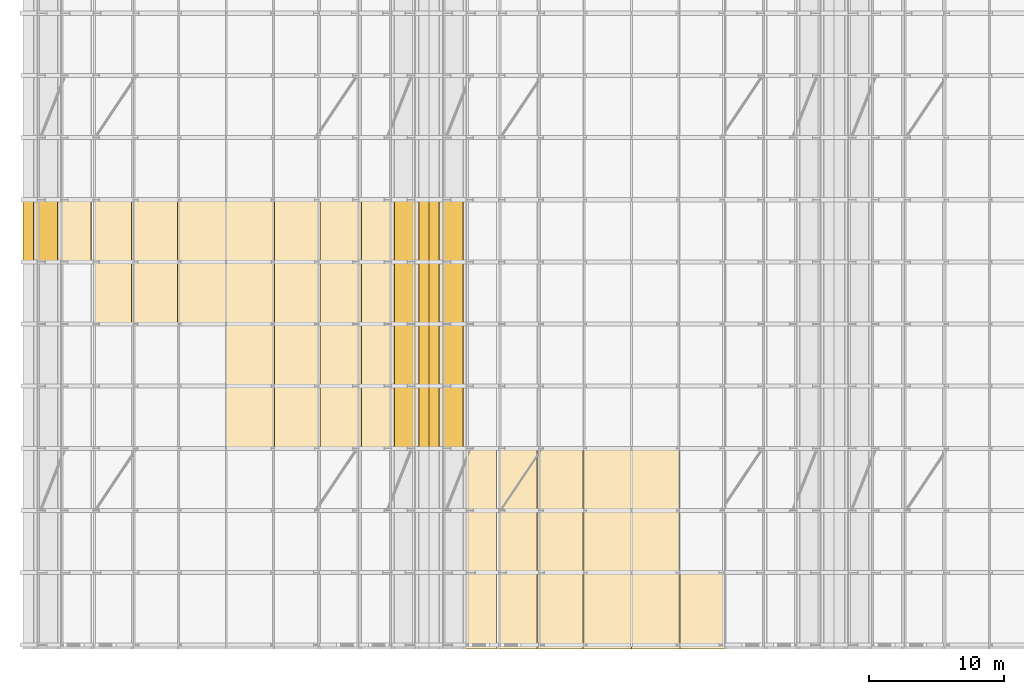
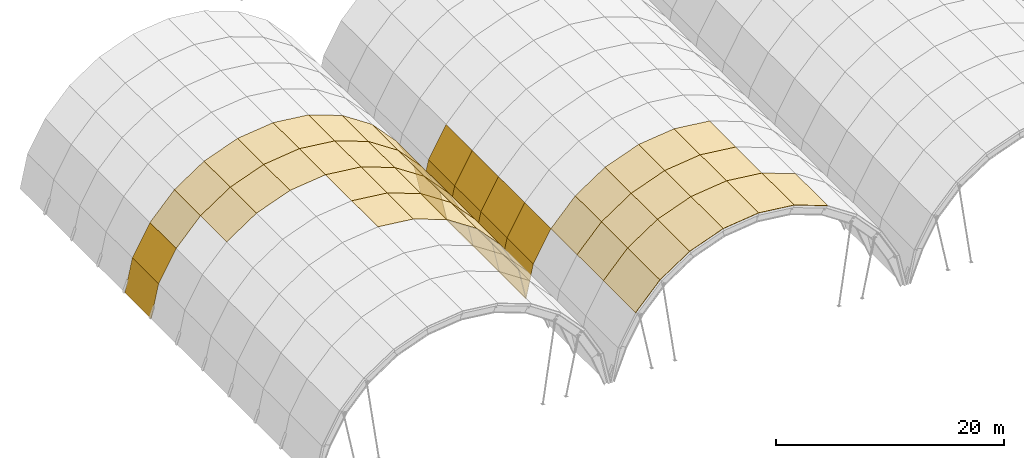
# One storey, part 41 of 47: 57 coverings.
"""IFC4 building model written with IfcOpenShell, lengths in metres."""

import ifcopenshell
import ifcopenshell.guid

model = None  # the IFC model being written
_history = None  # IfcOwnerHistory: only IFC2X3 demands one
_inside = {}  # id of a spatial element -> (the spatial element, [elements in it])
_under = {}  # id of a project, library or spatial element -> (it, [spatial elements below it])
_declared = {}  # id of a project -> (the project, [libraries it declares])
_typed = {}  # id of a type object -> (the type object, [elements of that type])
_made_of = {}  # id of a material, layer set ... -> (it, [elements and type objects made of it])


def new_model(schema):
    """Start an empty IFC model of exactly this schema.

    Asked for "IFC4X3", IfcOpenShell would pick the latest addendum, in which some entities
    have other attributes; the version numbers below select the first issue.
    IFC2X3 requires an IfcOwnerHistory on every rooted entity: one is made here for all.
    """
    global model, _history
    if schema == "IFC4X3":
        model = ifcopenshell.file(schema_version=(4, 3, 0, 0))
    else:
        model = ifcopenshell.file(schema=schema)
    _inside.clear()
    _under.clear()
    _declared.clear()
    _typed.clear()
    _made_of.clear()
    _history = None
    if model.schema == "IFC2X3":
        org = make("IfcOrganization", Name="unknown")
        user = make(
            "IfcPersonAndOrganization",
            ThePerson=make("IfcPerson", FamilyName="unknown"),
            TheOrganization=org,
        )
        app = make(
            "IfcApplication",
            ApplicationDeveloper=org,
            Version="unknown",
            ApplicationFullName="unknown",
            ApplicationIdentifier="unknown",
        )
        _history = make(
            "IfcOwnerHistory",
            OwningUser=user,
            OwningApplication=app,
            ChangeAction="ADDED",
            CreationDate=0,
        )
    return model


def make(cls, **values):
    """One entity of the class cls with the attributes given. An attribute that is None is left unset."""
    return model.create_entity(
        cls, **{name: value for name, value in values.items() if value is not None}
    )


def rooted(cls, **values):
    """An entity with a GlobalId (a new one), such as an element, a storey or a relation."""
    return make(cls, GlobalId=ifcopenshell.guid.new(), OwnerHistory=_history, **values)


def si_unit(unit_type, name, prefix=None):
    """IfcSIUnit, for example si_unit("LENGTHUNIT", "METRE", prefix="MILLI")."""
    return make("IfcSIUnit", UnitType=unit_type, Prefix=prefix, Name=name)


def assignment(units):
    """IfcUnitAssignment: the units of a project."""
    return None if units is None else make("IfcUnitAssignment", Units=units)


def point(xyz):
    """IfcCartesianPoint."""
    return None if xyz is None else make("IfcCartesianPoint", Coordinates=xyz)


def direction(xyz):
    """IfcDirection."""
    return None if xyz is None else make("IfcDirection", DirectionRatios=xyz)


def frame(location, z_axis=None, x_axis=None):
    """IfcAxis2Placement3D, a coordinate frame: its origin and axes. An axis left out is left unset."""
    return make(
        "IfcAxis2Placement3D",
        Location=point(location),
        Axis=direction(z_axis),
        RefDirection=direction(x_axis),
    )


def origin():
    """The frame at (0, 0, 0) with its axes left unset."""
    return frame((0.0, 0.0, 0.0))


def place(relative_to, where):
    """IfcLocalPlacement: puts the frame where relative to a parent placement (None: the world)."""
    return make(
        "IfcLocalPlacement", PlacementRelTo=relative_to, RelativePlacement=where
    )


def context(
    kind, dimensions, precision=None, world=None, true_north=None, identifier=None
):
    """IfcGeometricRepresentationContext, for example the 3D "Model" context."""
    return make(
        "IfcGeometricRepresentationContext",
        ContextIdentifier=identifier,
        ContextType=kind,
        CoordinateSpaceDimension=dimensions,
        Precision=precision,
        WorldCoordinateSystem=world,
        TrueNorth=true_north,
    )


def subcontext(parent, identifier, kind, view, scale=None):
    """IfcGeometricRepresentationSubContext, for example "Body" below "Model"."""
    return make(
        "IfcGeometricRepresentationSubContext",
        ContextIdentifier=identifier,
        ContextType=kind,
        ParentContext=parent,
        TargetScale=scale,
        TargetView=view,
    )


def project(units=None, contexts=None):
    """IfcProject with its units and contexts."""
    return rooted(
        "IfcProject",
        Name="project",
        RepresentationContexts=contexts,
        UnitsInContext=assignment(units),
    )


def spatial(cls, under=None, at=None, **own):
    """A site, building, storey or space (cls), placed at a placement, below another one or the project."""
    s = rooted(cls, ObjectPlacement=at, **own)
    if under is not None:
        _under.setdefault(under.id(), (under, []))[1].append(s)
    return s


def polyline(points):
    """IfcPolyline through the points."""
    return make("IfcPolyline", Points=[point(p) for p in points])


def outline(outer, holes=None, kind="AREA"):
    """IfcArbitraryClosedProfileDef: a profile drawn as a closed curve; with holes, ...WithVoids."""
    if holes is None:
        return make("IfcArbitraryClosedProfileDef", ProfileType=kind, OuterCurve=outer)
    return make(
        "IfcArbitraryProfileDefWithVoids",
        ProfileType=kind,
        OuterCurve=outer,
        InnerCurves=holes,
    )


def extrude(swept, where, along, depth):
    """IfcExtrudedAreaSolid: the profile swept, set in the frame where, extruded along a direction by depth."""
    return make(
        "IfcExtrudedAreaSolid",
        SweptArea=swept,
        Position=where,
        ExtrudedDirection=direction(along),
        Depth=depth,
    )


def shape(context_of_items, identifier, shape_type, items):
    """IfcShapeRepresentation: the items that make up one representation, for example the "Body"."""
    return make(
        "IfcShapeRepresentation",
        ContextOfItems=context_of_items,
        RepresentationIdentifier=identifier,
        RepresentationType=shape_type,
        Items=items,
    )


def material(Name=None, Category=None):
    """IfcMaterial."""
    return make("IfcMaterial", Name=Name, Category=Category)


def layer(
    of_material, thickness, ventilated=None, Name=None, Category=None, Priority=None
):
    """IfcMaterialLayer: one layer of a wall or slab, of a material (None: an air gap)."""
    return make(
        "IfcMaterialLayer",
        Material=of_material,
        LayerThickness=thickness,
        IsVentilated=ventilated,
        Name=Name,
        Category=Category,
        Priority=Priority,
    )


def layer_set(layers, Name=None):
    """IfcMaterialLayerSet."""
    return make("IfcMaterialLayerSet", MaterialLayers=layers, LayerSetName=Name)


def made_of(thing, what):
    """Note that an element or type object is made of a material, layer set ...; save() writes the relation."""
    if what is not None:
        _made_of.setdefault(what.id(), (what, []))[1].append(thing)
    return thing


def type_object(cls, material=None, **own):
    """A type object (cls), such as IfcWallType, which elements share."""
    return made_of(rooted(cls, **own), material)


def element(
    cls,
    number,
    at=None,
    inside=None,
    cuts=None,
    type_object=None,
    material=None,
    context=None,
    identifier="Body",
    shape_type=None,
    held_by="IfcProductDefinitionShape",
    body=None,
    shapes=None,
    **own,
):
    """One element of the class cls, such as IfcWall. Its Tag is "e" and its number.

    at: its placement. inside: the storey or other place that contains it. cuts: it is an
    opening in that element (IfcRelVoidsElement). A single representation is given by context,
    identifier, shape_type and body (its items); several are given by shapes. held_by: the class
    of the entity that holds the representations. save() writes the other relations.
    """
    e = rooted(cls, Tag="e%d" % number, ObjectPlacement=at, **own)
    if body is not None:
        shapes = [shape(context, identifier, shape_type, body)]
    if shapes is not None:
        e.Representation = make(held_by, Representations=shapes)
    if inside is not None:
        _inside.setdefault(inside.id(), (inside, []))[1].append(e)
    if cuts is not None:
        rooted(
            "IfcRelVoidsElement", RelatingBuildingElement=cuts, RelatedOpeningElement=e
        )
    if type_object is not None:
        _typed.setdefault(type_object.id(), (type_object, []))[1].append(e)
    return made_of(e, material)


def aggregate(whole, parts):
    """IfcRelAggregates: a whole, such as a stair, and the parts it consists of."""
    return rooted("IfcRelAggregates", RelatingObject=whole, RelatedObjects=parts)


def save(model, path):
    """Write the relations noted so far, then the file.

    IfcRelAggregates (storeys below a building ...), IfcRelContainedInSpatialStructure (elements
    in a storey), IfcRelDefinesByType, IfcRelAssociatesMaterial and IfcRelDeclares: one each for
    every whole, place, type object, material and project.
    """
    for whole, parts in _under.values():
        aggregate(whole, parts)
    for where, things in _inside.values():
        rooted(
            "IfcRelContainedInSpatialStructure",
            RelatedElements=things,
            RelatingStructure=where,
        )
    for kind, things in _typed.values():
        rooted("IfcRelDefinesByType", RelatedObjects=things, RelatingType=kind)
    for what, things in _made_of.values():
        rooted("IfcRelAssociatesMaterial", RelatedObjects=things, RelatingMaterial=what)
    for by, libraries in _declared.values():
        rooted("IfcRelDeclares", RelatingContext=by, RelatedDefinitions=libraries)
    model.write(path)


model = new_model("IFC4")

# Units and contexts
model_context = context("Model", 3, precision=1e-05, world=origin(), true_north=direction((0.0, 1.0)))
body_context = subcontext(model_context, "Body", "Model", "MODEL_VIEW")
ifc_project = project(units=[si_unit("LENGTHUNIT", "METRE"), si_unit("AREAUNIT", "SQUARE_METRE"), si_unit("VOLUMEUNIT", "CUBIC_METRE"), si_unit("PLANEANGLEUNIT", "RADIAN"), si_unit("MASSUNIT", "GRAM", prefix="KILO")], contexts=[model_context])

# Site, building, storey
site_placement = place(None, origin())
site = spatial("IfcSite", under=ifc_project, at=site_placement, CompositionType="ELEMENT")
building_placement = place(site_placement, origin())
building = spatial("IfcBuilding", under=site, at=building_placement, Name="Muzn Square Opera House", CompositionType="ELEMENT")
storey_placement = place(building_placement, frame((0.0, 0.0, 31.0)))
storey = spatial("IfcBuildingStorey", under=building, at=storey_placement, Name="RF-1", CompositionType="ELEMENT", Elevation=31.0)

# Coverings
ifc_material = material(Name="Patina green copper-zinc standing seam", Category="metal")
ifc_layer = layer(ifc_material, 0.0400390625, Name="Patina green copper-zinc standing seam", Category="metal")
ifc_layer_set = layer_set([ifc_layer], Name="Patina green copper-zinc standing seam")
covering_type = type_object("IfcCoveringType", Name="Standing Seam Green Vault Roofing", PredefinedType="ROOFING", material=ifc_layer_set)
covering_1_placement = place(storey_placement, frame((58.0, 35.800048828125, 0.4599609375), z_axis=(0.116993830326, 0.0, 0.993132641527), x_axis=(0.993132641527, 0.0, -0.116993830326)))
element("IfcCovering", 1, at=covering_1_placement, inside=storey, type_object=covering_type, Name="Patina Green Standing Seam Vault Roofing V1-03-F06", PredefinedType="ROOFING", context=body_context, shape_type="SweptSolid", body=[
    extrude(outline(polyline([(0.0, 0.0), (3.620566855473569, 0.0), (3.620566855473569, 4.599853515625), (0.0, 4.599853515625), (0.0, 0.0)])), origin(), (0.0, 0.0, -1.0), 0.0400390625),
])
covering_2_placement = place(storey_placement, frame((61.595703125, 35.800048828125, 0.036376953125), z_axis=(0.344848988651, 0.0, 0.938658177947), x_axis=(0.938658177947, 0.0, -0.344848988651)))
element("IfcCovering", 2, at=covering_2_placement, inside=storey, type_object=covering_type, Name="Patina Green Standing Seam Vault Roofing V1-03-F07", PredefinedType="ROOFING", context=body_context, shape_type="SweptSolid", body=[
    extrude(outline(polyline([(0.0, 0.0), (3.620527237544066, 0.0), (3.620527237544066, 4.599853515625001), (0.0, 4.599853515625001), (0.0, 0.0)])), origin(), (0.0, 0.0, -1.0), 0.0400390625),
])
covering_3_placement = place(storey_placement, frame((64.994140625, 35.800048828125, -1.212158203125), z_axis=(0.553703965812, 0.0, 0.832713587162), x_axis=(0.832713587162, 0.0, -0.553703965812)))
element("IfcCovering", 3, at=covering_3_placement, inside=storey, type_object=covering_type, Name="Patina Green Standing Seam Vault Roofing V1-03-F08", PredefinedType="ROOFING", context=body_context, shape_type="SweptSolid", body=[
    extrude(outline(polyline([(0.0, 0.0), (3.620856877123484, 0.0), (3.620856877123484, 4.599853515625), (0.0, 4.599853515625), (0.0, 0.0)])), origin(), (0.0, 0.0, -1.0), 0.0400390625),
])
covering_4_placement = place(storey_placement, frame((68.00927734375, 35.800048828125, -3.217041015625), z_axis=(0.732233658575, 0.0, 0.68105349955), x_axis=(0.68105349955, 0.0, -0.732233658575)))
element("IfcCovering", 4, at=covering_4_placement, inside=storey, type_object=covering_type, Name="Patina Green Standing Seam Vault Roofing V1-03-F09", PredefinedType="ROOFING", context=body_context, shape_type="SweptSolid", body=[
    extrude(outline(polyline([(0.0, 0.0), (3.6205970810364114, 0.0), (3.6205970810364114, 4.599853515625), (0.0, 4.599853515625), (0.0, 0.0)])), origin(), (0.0, 0.0, -1.0), 0.0400390625),
])
covering_5_placement = place(storey_placement, frame((70.47509765625, 35.800048828125, -5.8681640625), z_axis=(0.870532696062, 0.0, 0.492110582174), x_axis=(0.492110582174, 0.0, -0.870532696062)))
element("IfcCovering", 5, at=covering_5_placement, inside=storey, type_object=covering_type, Name="Patina Green Standing Seam Vault Roofing V1-03-F10", PredefinedType="ROOFING", context=body_context, shape_type="SweptSolid", body=[
    extrude(outline(polyline([(0.0, 0.0), (3.620605501675236, 0.0), (3.620605501675236, 4.599853515625001), (0.0, 4.599853515625001), (0.0, 0.0)])), origin(), (0.0, 0.0, -1.0), 0.0400390625),
])
covering_6_placement = place(storey_placement, frame((72.2568359375, 35.800048828125, -9.02001953125), z_axis=(0.976986683404, 0.0, 0.213300305792), x_axis=(0.213300305792, 0.0, -0.976986683404)))
element("IfcCovering", 6, at=covering_6_placement, inside=storey, type_object=covering_type, Name="Patina Green Standing Seam Vault Roofing V1-03-F11", PredefinedType="ROOFING", context=body_context, shape_type="SweptSolid", body=[
    extrude(outline(polyline([(0.0, 0.0), (3.5619528166180294, 0.0), (3.5619528166180294, 4.599853515625001), (0.0, 4.599853515625001), (0.0, 0.0)])), origin(), (0.0, 0.0, -1.0), 0.0400390625),
])
covering_7_placement = place(storey_placement, frame((58.0, 40.39990234375, 0.4599609375), z_axis=(0.116993830326, 0.0, 0.993132641527), x_axis=(0.993132641527, 0.0, -0.116993830326)))
element("IfcCovering", 7, at=covering_7_placement, inside=storey, type_object=covering_type, Name="Patina Green Standing Seam Vault Roofing V1-04-F06", PredefinedType="ROOFING", context=body_context, shape_type="SweptSolid", body=[
    extrude(outline(polyline([(0.0, 0.0), (3.620566855473569, 0.0), (3.620566855473569, 4.60009765625), (0.0, 4.60009765625), (0.0, 0.0)])), origin(), (0.0, 0.0, -1.0), 0.0400390625),
])
covering_8_placement = place(storey_placement, frame((61.595703125, 40.39990234375, 0.036376953125), z_axis=(0.344848988651, 0.0, 0.938658177947), x_axis=(0.938658177947, 0.0, -0.344848988651)))
element("IfcCovering", 8, at=covering_8_placement, inside=storey, type_object=covering_type, Name="Patina Green Standing Seam Vault Roofing V1-04-F07", PredefinedType="ROOFING", context=body_context, shape_type="SweptSolid", body=[
    extrude(outline(polyline([(0.0, 0.0), (3.6205272375440654, 0.0), (3.6205272375440654, 4.60009765625), (0.0, 4.60009765625), (0.0, 0.0)])), origin(), (0.0, 0.0, -1.0), 0.0400390625),
])
covering_9_placement = place(storey_placement, frame((64.994140625, 40.39990234375, -1.212158203125), z_axis=(0.553703965812, 0.0, 0.832713587162), x_axis=(0.832713587162, 0.0, -0.553703965812)))
element("IfcCovering", 9, at=covering_9_placement, inside=storey, type_object=covering_type, Name="Patina Green Standing Seam Vault Roofing V1-04-F08", PredefinedType="ROOFING", context=body_context, shape_type="SweptSolid", body=[
    extrude(outline(polyline([(0.0, 0.0), (3.620856877123484, 0.0), (3.620856877123484, 4.60009765625), (0.0, 4.60009765625), (0.0, 0.0)])), origin(), (0.0, 0.0, -1.0), 0.0400390625),
])
covering_10_placement = place(storey_placement, frame((68.00927734375, 40.39990234375, -3.217041015625), z_axis=(0.732233658575, 0.0, 0.68105349955), x_axis=(0.68105349955, 0.0, -0.732233658575)))
element("IfcCovering", 10, at=covering_10_placement, inside=storey, type_object=covering_type, Name="Patina Green Standing Seam Vault Roofing V1-04-F09", PredefinedType="ROOFING", context=body_context, shape_type="SweptSolid", body=[
    extrude(outline(polyline([(0.0, 0.0), (3.6205970810364114, 0.0), (3.6205970810364114, 4.60009765625), (0.0, 4.60009765625), (0.0, 0.0)])), origin(), (0.0, 0.0, -1.0), 0.0400390625),
])
covering_11_placement = place(storey_placement, frame((70.47509765625, 40.39990234375, -5.8681640625), z_axis=(0.870532696062, 0.0, 0.492110582174), x_axis=(0.492110582174, 0.0, -0.870532696062)))
element("IfcCovering", 11, at=covering_11_placement, inside=storey, type_object=covering_type, Name="Patina Green Standing Seam Vault Roofing V1-04-F10", PredefinedType="ROOFING", context=body_context, shape_type="SweptSolid", body=[
    extrude(outline(polyline([(0.0, 0.0), (3.6206055016752363, 0.0), (3.6206055016752363, 4.60009765625), (0.0, 4.60009765625), (0.0, 0.0)])), origin(), (0.0, 0.0, -1.0), 0.0400390625),
])
covering_12_placement = place(storey_placement, frame((72.2568359375, 40.39990234375, -9.02001953125), z_axis=(0.976986683404, 0.0, 0.213300305792), x_axis=(0.213300305792, 0.0, -0.976986683404)))
element("IfcCovering", 12, at=covering_12_placement, inside=storey, type_object=covering_type, Name="Patina Green Standing Seam Vault Roofing V1-04-F11", PredefinedType="ROOFING", context=body_context, shape_type="SweptSolid", body=[
    extrude(outline(polyline([(0.0, 0.0), (3.5619528166180294, 0.0), (3.5619528166180294, 4.600097656249999), (0.0, 4.600097656249999), (0.0, 0.0)])), origin(), (0.0, 0.0, -1.0), 0.0400390625),
])
covering_13_placement = place(storey_placement, frame((51.005859375, 45.0, -1.212158203125), z_axis=(-0.553703965812, 0.0, 0.832713587162), x_axis=(0.0, 1.0, 0.0)))
element("IfcCovering", 13, at=covering_13_placement, inside=storey, type_object=covering_type, Name="Patina Green Standing Seam Vault Roofing V1-05-F03", PredefinedType="ROOFING", context=body_context, shape_type="SweptSolid", body=[
    extrude(outline(polyline([(0.0, 3.620856877123484), (0.0, 0.0), (4.60009765625, 0.0), (4.60009765625, 3.620856877123484), (0.0, 3.620856877123484)])), origin(), (0.0, 0.0, -1.0), 0.0400390625),
])
covering_14_placement = place(storey_placement, frame((54.404296875, 45.0, 0.036376953125), z_axis=(-0.344848988651, 0.0, 0.938658177947), x_axis=(0.0, 1.0, 0.0)))
element("IfcCovering", 14, at=covering_14_placement, inside=storey, type_object=covering_type, Name="Patina Green Standing Seam Vault Roofing V1-05-F04", PredefinedType="ROOFING", context=body_context, shape_type="SweptSolid", body=[
    extrude(outline(polyline([(0.0, 3.6205272375440654), (0.0, 0.0), (4.60009765625, 0.0), (4.60009765625, 3.6205272375440654), (0.0, 3.6205272375440654)])), origin(), (0.0, 0.0, -1.0), 0.0400390625),
])
covering_15_placement = place(storey_placement, frame((58.0, 45.0, 0.4599609375), z_axis=(-0.116993830326, 0.0, 0.993132641527), x_axis=(0.0, 1.0, 0.0)))
element("IfcCovering", 15, at=covering_15_placement, inside=storey, type_object=covering_type, Name="Patina Green Standing Seam Vault Roofing V1-05-F05", PredefinedType="ROOFING", context=body_context, shape_type="SweptSolid", body=[
    extrude(outline(polyline([(0.0, 3.620566855473569), (0.0, 0.0), (4.60009765625, 0.0), (4.60009765625, 3.620566855473569), (0.0, 3.620566855473569)])), origin(), (0.0, 0.0, -1.0), 0.0400390625),
])
covering_16_placement = place(storey_placement, frame((58.0, 45.0, 0.4599609375), z_axis=(0.116993830326, 0.0, 0.993132641527), x_axis=(0.993132641527, 0.0, -0.116993830326)))
element("IfcCovering", 16, at=covering_16_placement, inside=storey, type_object=covering_type, Name="Patina Green Standing Seam Vault Roofing V1-05-F06", PredefinedType="ROOFING", context=body_context, shape_type="SweptSolid", body=[
    extrude(outline(polyline([(0.0, 0.0), (3.620566855473569, 0.0), (3.620566855473569, 4.60009765625), (0.0, 4.60009765625), (0.0, 0.0)])), origin(), (0.0, 0.0, -1.0), 0.0400390625),
])
covering_17_placement = place(storey_placement, frame((61.595703125, 45.0, 0.036376953125), z_axis=(0.344848988651, 0.0, 0.938658177947), x_axis=(0.938658177947, 0.0, -0.344848988651)))
element("IfcCovering", 17, at=covering_17_placement, inside=storey, type_object=covering_type, Name="Patina Green Standing Seam Vault Roofing V1-05-F07", PredefinedType="ROOFING", context=body_context, shape_type="SweptSolid", body=[
    extrude(outline(polyline([(0.0, 0.0), (3.6205272375440654, 0.0), (3.6205272375440654, 4.60009765625), (0.0, 4.60009765625), (0.0, 0.0)])), origin(), (0.0, 0.0, -1.0), 0.0400390625),
])
covering_18_placement = place(storey_placement, frame((64.994140625, 45.0, -1.212158203125), z_axis=(0.553703965812, 0.0, 0.832713587162), x_axis=(0.832713587162, 0.0, -0.553703965812)))
element("IfcCovering", 18, at=covering_18_placement, inside=storey, type_object=covering_type, Name="Patina Green Standing Seam Vault Roofing V1-05-F08", PredefinedType="ROOFING", context=body_context, shape_type="SweptSolid", body=[
    extrude(outline(polyline([(0.0, 0.0), (3.620856877123484, 0.0), (3.620856877123484, 4.60009765625), (0.0, 4.60009765625), (0.0, 0.0)])), origin(), (0.0, 0.0, -1.0), 0.0400390625),
])
covering_19_placement = place(storey_placement, frame((68.00927734375, 45.0, -3.217041015625), z_axis=(0.732233658575, 0.0, 0.68105349955), x_axis=(0.68105349955, 0.0, -0.732233658575)))
element("IfcCovering", 19, at=covering_19_placement, inside=storey, type_object=covering_type, Name="Patina Green Standing Seam Vault Roofing V1-05-F09", PredefinedType="ROOFING", context=body_context, shape_type="SweptSolid", body=[
    extrude(outline(polyline([(0.0, 0.0), (3.6205970810364114, 0.0), (3.6205970810364114, 4.60009765625), (0.0, 4.60009765625), (0.0, 0.0)])), origin(), (0.0, 0.0, -1.0), 0.0400390625),
])
covering_20_placement = place(storey_placement, frame((70.47509765625, 45.0, -5.8681640625), z_axis=(0.870532696062, 0.0, 0.492110582174), x_axis=(0.492110582174, 0.0, -0.870532696062)))
element("IfcCovering", 20, at=covering_20_placement, inside=storey, type_object=covering_type, Name="Patina Green Standing Seam Vault Roofing V1-05-F10", PredefinedType="ROOFING", context=body_context, shape_type="SweptSolid", body=[
    extrude(outline(polyline([(0.0, 0.0), (3.6206055016752363, 0.0), (3.6206055016752363, 4.60009765625), (0.0, 4.60009765625), (0.0, 0.0)])), origin(), (0.0, 0.0, -1.0), 0.0400390625),
])
covering_21_placement = place(storey_placement, frame((72.2568359375, 45.0, -9.02001953125), z_axis=(0.976986683404, 0.0, 0.213300305792), x_axis=(0.213300305792, 0.0, -0.976986683404)))
element("IfcCovering", 21, at=covering_21_placement, inside=storey, type_object=covering_type, Name="Patina Green Standing Seam Vault Roofing V1-05-F11", PredefinedType="ROOFING", context=body_context, shape_type="SweptSolid", body=[
    extrude(outline(polyline([(0.0, 0.0), (3.5619528166180294, 0.0), (3.5619528166180294, 4.600097656249999), (0.0, 4.600097656249999), (0.0, 0.0)])), origin(), (0.0, 0.0, -1.0), 0.0400390625),
])
covering_22_placement = place(storey_placement, frame((43.7431640625, 49.60009765625, -9.02001953125), z_axis=(-0.976986683404, 0.0, 0.213300305792), x_axis=(0.0, 1.0, 0.0)))
element("IfcCovering", 22, at=covering_22_placement, inside=storey, type_object=covering_type, Name="Patina Green Standing Seam Vault Roofing V1-06-F00", PredefinedType="ROOFING", context=body_context, shape_type="SweptSolid", body=[
    extrude(outline(polyline([(0.0, 3.56195281661803), (0.0, 0.0), (4.599853515625, 0.0), (4.599853515625, 3.56195281661803), (0.0, 3.56195281661803)])), origin(), (0.0, 0.0, -1.0), 0.0400390625),
])
covering_23_placement = place(storey_placement, frame((45.52490234375, 49.60009765625, -5.8681640625), z_axis=(-0.870532696062, 0.0, 0.492110582174), x_axis=(0.0, 1.0, 0.0)))
element("IfcCovering", 23, at=covering_23_placement, inside=storey, type_object=covering_type, Name="Patina Green Standing Seam Vault Roofing V1-06-F01", PredefinedType="ROOFING", context=body_context, shape_type="SweptSolid", body=[
    extrude(outline(polyline([(0.0, 3.6206055016752363), (0.0, 0.0), (4.599853515625, 0.0), (4.599853515625, 3.6206055016752363), (0.0, 3.6206055016752363)])), origin(), (0.0, 0.0, -1.0), 0.0400390625),
])
covering_24_placement = place(storey_placement, frame((47.99072265625, 49.60009765625, -3.217041015625), z_axis=(-0.732233658575, 0.0, 0.68105349955), x_axis=(0.0, 1.0, 0.0)))
element("IfcCovering", 24, at=covering_24_placement, inside=storey, type_object=covering_type, Name="Patina Green Standing Seam Vault Roofing V1-06-F02", PredefinedType="ROOFING", context=body_context, shape_type="SweptSolid", body=[
    extrude(outline(polyline([(0.0, 3.6205970810364114), (0.0, 0.0), (4.599853515625, 0.0), (4.599853515625, 3.6205970810364114), (0.0, 3.6205970810364114)])), origin(), (0.0, 0.0, -1.0), 0.0400390625),
])
covering_25_placement = place(storey_placement, frame((51.005859375, 49.60009765625, -1.212158203125), z_axis=(-0.553703965812, 0.0, 0.832713587162), x_axis=(0.0, 1.0, 0.0)))
element("IfcCovering", 25, at=covering_25_placement, inside=storey, type_object=covering_type, Name="Patina Green Standing Seam Vault Roofing V1-06-F03", PredefinedType="ROOFING", context=body_context, shape_type="SweptSolid", body=[
    extrude(outline(polyline([(0.0, 3.620856877123484), (0.0, 0.0), (4.599853515625, 0.0), (4.599853515625, 3.620856877123484), (0.0, 3.620856877123484)])), origin(), (0.0, 0.0, -1.0), 0.0400390625),
])
covering_26_placement = place(storey_placement, frame((54.404296875, 49.60009765625, 0.036376953125), z_axis=(-0.344848988651, 0.0, 0.938658177947), x_axis=(0.0, 1.0, 0.0)))
element("IfcCovering", 26, at=covering_26_placement, inside=storey, type_object=covering_type, Name="Patina Green Standing Seam Vault Roofing V1-06-F04", PredefinedType="ROOFING", context=body_context, shape_type="SweptSolid", body=[
    extrude(outline(polyline([(0.0, 3.6205272375440662), (0.0, 0.0), (4.599853515625, 0.0), (4.599853515625, 3.6205272375440662), (0.0, 3.6205272375440662)])), origin(), (0.0, 0.0, -1.0), 0.0400390625),
])
covering_27_placement = place(storey_placement, frame((58.0, 49.60009765625, 0.4599609375), z_axis=(-0.116993830326, 0.0, 0.993132641527), x_axis=(0.0, 1.0, 0.0)))
element("IfcCovering", 27, at=covering_27_placement, inside=storey, type_object=covering_type, Name="Patina Green Standing Seam Vault Roofing V1-06-F05", PredefinedType="ROOFING", context=body_context, shape_type="SweptSolid", body=[
    extrude(outline(polyline([(0.0, 3.620566855473569), (0.0, 0.0), (4.599853515625, 0.0), (4.599853515625, 3.620566855473569), (0.0, 3.620566855473569)])), origin(), (0.0, 0.0, -1.0), 0.0400390625),
])
covering_28_placement = place(storey_placement, frame((58.0, 49.60009765625, 0.4599609375), z_axis=(0.116993830326, 0.0, 0.993132641527), x_axis=(0.993132641527, 0.0, -0.116993830326)))
element("IfcCovering", 28, at=covering_28_placement, inside=storey, type_object=covering_type, Name="Patina Green Standing Seam Vault Roofing V1-06-F06", PredefinedType="ROOFING", context=body_context, shape_type="SweptSolid", body=[
    extrude(outline(polyline([(0.0, 0.0), (3.620566855473569, 0.0), (3.620566855473569, 4.599853515625), (0.0, 4.599853515625), (0.0, 0.0)])), origin(), (0.0, 0.0, -1.0), 0.0400390625),
])
covering_29_placement = place(storey_placement, frame((61.595703125, 49.60009765625, 0.036376953125), z_axis=(0.344848988651, 0.0, 0.938658177947), x_axis=(0.938658177947, 0.0, -0.344848988651)))
element("IfcCovering", 29, at=covering_29_placement, inside=storey, type_object=covering_type, Name="Patina Green Standing Seam Vault Roofing V1-06-F07", PredefinedType="ROOFING", context=body_context, shape_type="SweptSolid", body=[
    extrude(outline(polyline([(0.0, 0.0), (3.620527237544066, 0.0), (3.620527237544066, 4.599853515625001), (0.0, 4.599853515625001), (0.0, 0.0)])), origin(), (0.0, 0.0, -1.0), 0.0400390625),
])
covering_30_placement = place(storey_placement, frame((64.994140625, 49.60009765625, -1.212158203125), z_axis=(0.553703965812, 0.0, 0.832713587162), x_axis=(0.832713587162, 0.0, -0.553703965812)))
element("IfcCovering", 30, at=covering_30_placement, inside=storey, type_object=covering_type, Name="Patina Green Standing Seam Vault Roofing V1-06-F08", PredefinedType="ROOFING", context=body_context, shape_type="SweptSolid", body=[
    extrude(outline(polyline([(0.0, 0.0), (3.620856877123484, 0.0), (3.620856877123484, 4.599853515625), (0.0, 4.599853515625), (0.0, 0.0)])), origin(), (0.0, 0.0, -1.0), 0.0400390625),
])
covering_31_placement = place(storey_placement, frame((68.00927734375, 49.60009765625, -3.217041015625), z_axis=(0.732233658575, 0.0, 0.68105349955), x_axis=(0.68105349955, 0.0, -0.732233658575)))
element("IfcCovering", 31, at=covering_31_placement, inside=storey, type_object=covering_type, Name="Patina Green Standing Seam Vault Roofing V1-06-F09", PredefinedType="ROOFING", context=body_context, shape_type="SweptSolid", body=[
    extrude(outline(polyline([(0.0, 0.0), (3.6205970810364114, 0.0), (3.6205970810364114, 4.599853515625), (0.0, 4.599853515625), (0.0, 0.0)])), origin(), (0.0, 0.0, -1.0), 0.0400390625),
])
covering_32_placement = place(storey_placement, frame((70.47509765625, 49.60009765625, -5.8681640625), z_axis=(0.870532696062, 0.0, 0.492110582174), x_axis=(0.492110582174, 0.0, -0.870532696062)))
element("IfcCovering", 32, at=covering_32_placement, inside=storey, type_object=covering_type, Name="Patina Green Standing Seam Vault Roofing V1-06-F10", PredefinedType="ROOFING", context=body_context, shape_type="SweptSolid", body=[
    extrude(outline(polyline([(0.0, 0.0), (3.620605501675236, 0.0), (3.620605501675236, 4.599853515625001), (0.0, 4.599853515625001), (0.0, 0.0)])), origin(), (0.0, 0.0, -1.0), 0.0400390625),
])
covering_33_placement = place(storey_placement, frame((72.2568359375, 49.60009765625, -9.02001953125), z_axis=(0.976986683404, 0.0, 0.213300305792), x_axis=(0.213300305792, 0.0, -0.976986683404)))
element("IfcCovering", 33, at=covering_33_placement, inside=storey, type_object=covering_type, Name="Patina Green Standing Seam Vault Roofing V1-06-F11", PredefinedType="ROOFING", context=body_context, shape_type="SweptSolid", body=[
    extrude(outline(polyline([(0.0, 0.0), (3.5619528166180294, 0.0), (3.5619528166180294, 4.599853515625001), (0.0, 4.599853515625001), (0.0, 0.0)])), origin(), (0.0, 0.0, -1.0), 0.0400390625),
])
covering_34_placement = place(storey_placement, frame((77.99072265625, 20.949951171875, -3.217041015625), z_axis=(-0.732233658575, 0.0, 0.68105349955), x_axis=(0.0, 1.0, 0.0)))
element("IfcCovering", 34, at=covering_34_placement, inside=storey, type_object=covering_type, Name="Patina Green Standing Seam Vault Roofing V2-00-F02", PredefinedType="ROOFING", context=body_context, shape_type="SweptSolid", body=[
    extrude(outline(polyline([(0.0, 3.6205970810364105), (0.0, 0.0), (5.650146484375, 0.0), (5.650146484375, 3.6205970810364105), (0.0, 3.6205970810364105)])), origin(), (0.0, 0.0, -1.0), 0.0400390625),
])
covering_35_placement = place(storey_placement, frame((81.005859375, 20.949951171875, -1.212158203125), z_axis=(-0.553703965812, 0.0, 0.832713587162), x_axis=(0.0, 1.0, 0.0)))
element("IfcCovering", 35, at=covering_35_placement, inside=storey, type_object=covering_type, Name="Patina Green Standing Seam Vault Roofing V2-00-F03", PredefinedType="ROOFING", context=body_context, shape_type="SweptSolid", body=[
    extrude(outline(polyline([(0.0, 3.620856877123484), (0.0, 0.0), (5.650146484375, 0.0), (5.650146484375, 3.620856877123484), (0.0, 3.620856877123484)])), origin(), (0.0, 0.0, -1.0), 0.0400390625),
])
covering_36_placement = place(storey_placement, frame((84.404296875, 20.949951171875, 0.036376953125), z_axis=(-0.344848988651, 0.0, 0.938658177947), x_axis=(0.0, 1.0, 0.0)))
element("IfcCovering", 36, at=covering_36_placement, inside=storey, type_object=covering_type, Name="Patina Green Standing Seam Vault Roofing V2-00-F04", PredefinedType="ROOFING", context=body_context, shape_type="SweptSolid", body=[
    extrude(outline(polyline([(0.0, 3.620527237544065), (0.0, 0.0), (5.650146484375, 0.0), (5.650146484375, 3.620527237544065), (0.0, 3.620527237544065)])), origin(), (0.0, 0.0, -1.0), 0.0400390625),
])
covering_37_placement = place(storey_placement, frame((88.0, 20.949951171875, 0.4599609375), z_axis=(-0.116993830326, 0.0, 0.993132641527), x_axis=(0.0, 1.0, 0.0)))
element("IfcCovering", 37, at=covering_37_placement, inside=storey, type_object=covering_type, Name="Patina Green Standing Seam Vault Roofing V2-00-F05", PredefinedType="ROOFING", context=body_context, shape_type="SweptSolid", body=[
    extrude(outline(polyline([(0.0, 3.6205668554735686), (0.0, 0.0), (5.650146484375, 0.0), (5.650146484375, 3.6205668554735686), (0.0, 3.6205668554735686)])), origin(), (0.0, 0.0, -1.0), 0.0400390625),
])
covering_38_placement = place(storey_placement, frame((88.0, 20.949951171875, 0.4599609375), z_axis=(0.116993830326, 0.0, 0.993132641527), x_axis=(0.993132641527, 0.0, -0.116993830326)))
element("IfcCovering", 38, at=covering_38_placement, inside=storey, type_object=covering_type, Name="Patina Green Standing Seam Vault Roofing V2-00-F06", PredefinedType="ROOFING", context=body_context, shape_type="SweptSolid", body=[
    extrude(outline(polyline([(0.0, 0.0), (3.620566855473569, 0.0), (3.620566855473569, 5.650146484374999), (0.0, 5.650146484374999), (0.0, 0.0)])), origin(), (0.0, 0.0, -1.0), 0.0400390625),
])
covering_39_placement = place(storey_placement, frame((91.595703125, 20.949951171875, 0.036376953125), z_axis=(0.344848988651, 0.0, 0.938658177947), x_axis=(0.938658177947, 0.0, -0.344848988651)))
element("IfcCovering", 39, at=covering_39_placement, inside=storey, type_object=covering_type, Name="Patina Green Standing Seam Vault Roofing V2-00-F07", PredefinedType="ROOFING", context=body_context, shape_type="SweptSolid", body=[
    extrude(outline(polyline([(0.0, 0.0), (3.620527237544066, 0.0), (3.620527237544066, 5.650146484375), (0.0, 5.650146484375), (0.0, 0.0)])), origin(), (0.0, 0.0, -1.0), 0.0400390625),
])
covering_40_placement = place(storey_placement, frame((77.99072265625, 26.60009765625, -3.217041015625), z_axis=(-0.732233658575, 0.0, 0.68105349955), x_axis=(0.0, 1.0, 0.0)))
element("IfcCovering", 40, at=covering_40_placement, inside=storey, type_object=covering_type, Name="Patina Green Standing Seam Vault Roofing V2-01-F02", PredefinedType="ROOFING", context=body_context, shape_type="SweptSolid", body=[
    extrude(outline(polyline([(0.0, 3.6205970810364114), (0.0, 0.0), (4.599853515625, 0.0), (4.599853515625, 3.6205970810364114), (0.0, 3.6205970810364114)])), origin(), (0.0, 0.0, -1.0), 0.0400390625),
])
covering_41_placement = place(storey_placement, frame((81.005859375, 26.60009765625, -1.212158203125), z_axis=(-0.553703965812, 0.0, 0.832713587162), x_axis=(0.0, 1.0, 0.0)))
element("IfcCovering", 41, at=covering_41_placement, inside=storey, type_object=covering_type, Name="Patina Green Standing Seam Vault Roofing V2-01-F03", PredefinedType="ROOFING", context=body_context, shape_type="SweptSolid", body=[
    extrude(outline(polyline([(0.0, 3.620856877123484), (0.0, 0.0), (4.599853515625, 0.0), (4.599853515625, 3.620856877123484), (0.0, 3.620856877123484)])), origin(), (0.0, 0.0, -1.0), 0.0400390625),
])
covering_42_placement = place(storey_placement, frame((84.404296875, 26.60009765625, 0.036376953125), z_axis=(-0.344848988651, 0.0, 0.938658177947), x_axis=(0.0, 1.0, 0.0)))
element("IfcCovering", 42, at=covering_42_placement, inside=storey, type_object=covering_type, Name="Patina Green Standing Seam Vault Roofing V2-01-F04", PredefinedType="ROOFING", context=body_context, shape_type="SweptSolid", body=[
    extrude(outline(polyline([(0.0, 3.6205272375440662), (0.0, 0.0), (4.599853515625, 0.0), (4.599853515625, 3.6205272375440662), (0.0, 3.6205272375440662)])), origin(), (0.0, 0.0, -1.0), 0.0400390625),
])
covering_43_placement = place(storey_placement, frame((88.0, 26.60009765625, 0.4599609375), z_axis=(-0.116993830326, 0.0, 0.993132641527), x_axis=(0.0, 1.0, 0.0)))
element("IfcCovering", 43, at=covering_43_placement, inside=storey, type_object=covering_type, Name="Patina Green Standing Seam Vault Roofing V2-01-F05", PredefinedType="ROOFING", context=body_context, shape_type="SweptSolid", body=[
    extrude(outline(polyline([(0.0, 3.620566855473569), (0.0, 0.0), (4.599853515625, 0.0), (4.599853515625, 3.620566855473569), (0.0, 3.620566855473569)])), origin(), (0.0, 0.0, -1.0), 0.0400390625),
])
covering_44_placement = place(storey_placement, frame((88.0, 26.60009765625, 0.4599609375), z_axis=(0.116993830326, 0.0, 0.993132641527), x_axis=(0.993132641527, 0.0, -0.116993830326)))
element("IfcCovering", 44, at=covering_44_placement, inside=storey, type_object=covering_type, Name="Patina Green Standing Seam Vault Roofing V2-01-F06", PredefinedType="ROOFING", context=body_context, shape_type="SweptSolid", body=[
    extrude(outline(polyline([(0.0, 0.0), (3.620566855473569, 0.0), (3.620566855473569, 4.599853515625), (0.0, 4.599853515625), (0.0, 0.0)])), origin(), (0.0, 0.0, -1.0), 0.0400390625),
])
covering_45_placement = place(storey_placement, frame((77.99072265625, 31.199951171875, -3.217041015625), z_axis=(-0.732233658575, 0.0, 0.68105349955), x_axis=(0.0, 1.0, 0.0)))
element("IfcCovering", 45, at=covering_45_placement, inside=storey, type_object=covering_type, Name="Patina Green Standing Seam Vault Roofing V2-02-F02", PredefinedType="ROOFING", context=body_context, shape_type="SweptSolid", body=[
    extrude(outline(polyline([(0.0, 3.6205970810364114), (0.0, 0.0), (4.60009765625, 0.0), (4.60009765625, 3.6205970810364114), (0.0, 3.6205970810364114)])), origin(), (0.0, 0.0, -1.0), 0.0400390625),
])
covering_46_placement = place(storey_placement, frame((81.005859375, 31.199951171875, -1.212158203125), z_axis=(-0.553703965812, 0.0, 0.832713587162), x_axis=(0.0, 1.0, 0.0)))
element("IfcCovering", 46, at=covering_46_placement, inside=storey, type_object=covering_type, Name="Patina Green Standing Seam Vault Roofing V2-02-F03", PredefinedType="ROOFING", context=body_context, shape_type="SweptSolid", body=[
    extrude(outline(polyline([(0.0, 3.620856877123484), (0.0, 0.0), (4.60009765625, 0.0), (4.60009765625, 3.620856877123484), (0.0, 3.620856877123484)])), origin(), (0.0, 0.0, -1.0), 0.0400390625),
])
covering_47_placement = place(storey_placement, frame((84.404296875, 31.199951171875, 0.036376953125), z_axis=(-0.344848988651, 0.0, 0.938658177947), x_axis=(0.0, 1.0, 0.0)))
element("IfcCovering", 47, at=covering_47_placement, inside=storey, type_object=covering_type, Name="Patina Green Standing Seam Vault Roofing V2-02-F04", PredefinedType="ROOFING", context=body_context, shape_type="SweptSolid", body=[
    extrude(outline(polyline([(0.0, 3.6205272375440654), (0.0, 0.0), (4.60009765625, 0.0), (4.60009765625, 3.6205272375440654), (0.0, 3.6205272375440654)])), origin(), (0.0, 0.0, -1.0), 0.0400390625),
])
covering_48_placement = place(storey_placement, frame((88.0, 31.199951171875, 0.4599609375), z_axis=(-0.116993830326, 0.0, 0.993132641527), x_axis=(0.0, 1.0, 0.0)))
element("IfcCovering", 48, at=covering_48_placement, inside=storey, type_object=covering_type, Name="Patina Green Standing Seam Vault Roofing V2-02-F05", PredefinedType="ROOFING", context=body_context, shape_type="SweptSolid", body=[
    extrude(outline(polyline([(0.0, 3.620566855473569), (0.0, 0.0), (4.60009765625, 0.0), (4.60009765625, 3.620566855473569), (0.0, 3.620566855473569)])), origin(), (0.0, 0.0, -1.0), 0.0400390625),
])
covering_49_placement = place(storey_placement, frame((88.0, 31.199951171875, 0.4599609375), z_axis=(0.116993830326, 0.0, 0.993132641527), x_axis=(0.993132641527, 0.0, -0.116993830326)))
element("IfcCovering", 49, at=covering_49_placement, inside=storey, type_object=covering_type, Name="Patina Green Standing Seam Vault Roofing V2-02-F06", PredefinedType="ROOFING", context=body_context, shape_type="SweptSolid", body=[
    extrude(outline(polyline([(0.0, 0.0), (3.620566855473569, 0.0), (3.620566855473569, 4.60009765625), (0.0, 4.60009765625), (0.0, 0.0)])), origin(), (0.0, 0.0, -1.0), 0.0400390625),
])
covering_50_placement = place(storey_placement, frame((73.7431640625, 35.800048828125, -9.02001953125), z_axis=(-0.976986683404, 0.0, 0.213300305792), x_axis=(0.0, 1.0, 0.0)))
element("IfcCovering", 50, at=covering_50_placement, inside=storey, type_object=covering_type, Name="Patina Green Standing Seam Vault Roofing V2-03-F00", PredefinedType="ROOFING", context=body_context, shape_type="SweptSolid", body=[
    extrude(outline(polyline([(0.0, 3.56195281661803), (0.0, 0.0), (4.599853515625, 0.0), (4.599853515625, 3.56195281661803), (0.0, 3.56195281661803)])), origin(), (0.0, 0.0, -1.0), 0.0400390625),
])
covering_51_placement = place(storey_placement, frame((75.52490234375, 35.800048828125, -5.8681640625), z_axis=(-0.870532696062, 0.0, 0.492110582174), x_axis=(0.0, 1.0, 0.0)))
element("IfcCovering", 51, at=covering_51_placement, inside=storey, type_object=covering_type, Name="Patina Green Standing Seam Vault Roofing V2-03-F01", PredefinedType="ROOFING", context=body_context, shape_type="SweptSolid", body=[
    extrude(outline(polyline([(0.0, 3.6206055016752363), (0.0, 0.0), (4.599853515625, 0.0), (4.599853515625, 3.6206055016752363), (0.0, 3.6206055016752363)])), origin(), (0.0, 0.0, -1.0), 0.0400390625),
])
covering_52_placement = place(storey_placement, frame((73.7431640625, 40.39990234375, -9.02001953125), z_axis=(-0.976986683404, 0.0, 0.213300305792), x_axis=(0.0, 1.0, 0.0)))
element("IfcCovering", 52, at=covering_52_placement, inside=storey, type_object=covering_type, Name="Patina Green Standing Seam Vault Roofing V2-04-F00", PredefinedType="ROOFING", context=body_context, shape_type="SweptSolid", body=[
    extrude(outline(polyline([(0.0, 3.561952816618029), (0.0, 0.0), (4.60009765625, 0.0), (4.60009765625, 3.561952816618029), (0.0, 3.561952816618029)])), origin(), (0.0, 0.0, -1.0), 0.0400390625),
])
covering_53_placement = place(storey_placement, frame((75.52490234375, 40.39990234375, -5.8681640625), z_axis=(-0.870532696062, 0.0, 0.492110582174), x_axis=(0.0, 1.0, 0.0)))
element("IfcCovering", 53, at=covering_53_placement, inside=storey, type_object=covering_type, Name="Patina Green Standing Seam Vault Roofing V2-04-F01", PredefinedType="ROOFING", context=body_context, shape_type="SweptSolid", body=[
    extrude(outline(polyline([(0.0, 3.620605501675236), (0.0, 0.0), (4.60009765625, 0.0), (4.60009765625, 3.620605501675236), (0.0, 3.620605501675236)])), origin(), (0.0, 0.0, -1.0), 0.0400390625),
])
covering_54_placement = place(storey_placement, frame((73.7431640625, 45.0, -9.02001953125), z_axis=(-0.976986683404, 0.0, 0.213300305792), x_axis=(0.0, 1.0, 0.0)))
element("IfcCovering", 54, at=covering_54_placement, inside=storey, type_object=covering_type, Name="Patina Green Standing Seam Vault Roofing V2-05-F00", PredefinedType="ROOFING", context=body_context, shape_type="SweptSolid", body=[
    extrude(outline(polyline([(0.0, 3.561952816618029), (0.0, 0.0), (4.60009765625, 0.0), (4.60009765625, 3.561952816618029), (0.0, 3.561952816618029)])), origin(), (0.0, 0.0, -1.0), 0.0400390625),
])
covering_55_placement = place(storey_placement, frame((75.52490234375, 45.0, -5.8681640625), z_axis=(-0.870532696062, 0.0, 0.492110582174), x_axis=(0.0, 1.0, 0.0)))
element("IfcCovering", 55, at=covering_55_placement, inside=storey, type_object=covering_type, Name="Patina Green Standing Seam Vault Roofing V2-05-F01", PredefinedType="ROOFING", context=body_context, shape_type="SweptSolid", body=[
    extrude(outline(polyline([(0.0, 3.620605501675236), (0.0, 0.0), (4.60009765625, 0.0), (4.60009765625, 3.620605501675236), (0.0, 3.620605501675236)])), origin(), (0.0, 0.0, -1.0), 0.0400390625),
])
covering_56_placement = place(storey_placement, frame((73.7431640625, 49.60009765625, -9.02001953125), z_axis=(-0.976986683404, 0.0, 0.213300305792), x_axis=(0.0, 1.0, 0.0)))
element("IfcCovering", 56, at=covering_56_placement, inside=storey, type_object=covering_type, Name="Patina Green Standing Seam Vault Roofing V2-06-F00", PredefinedType="ROOFING", context=body_context, shape_type="SweptSolid", body=[
    extrude(outline(polyline([(0.0, 3.56195281661803), (0.0, 0.0), (4.599853515625, 0.0), (4.599853515625, 3.56195281661803), (0.0, 3.56195281661803)])), origin(), (0.0, 0.0, -1.0), 0.0400390625),
])
covering_57_placement = place(storey_placement, frame((75.52490234375, 49.60009765625, -5.8681640625), z_axis=(-0.870532696062, 0.0, 0.492110582174), x_axis=(0.0, 1.0, 0.0)))
element("IfcCovering", 57, at=covering_57_placement, inside=storey, type_object=covering_type, Name="Patina Green Standing Seam Vault Roofing V2-06-F01", PredefinedType="ROOFING", context=body_context, shape_type="SweptSolid", body=[
    extrude(outline(polyline([(0.0, 3.6206055016752363), (0.0, 0.0), (4.599853515625, 0.0), (4.599853515625, 3.6206055016752363), (0.0, 3.6206055016752363)])), origin(), (0.0, 0.0, -1.0), 0.0400390625),
])

save(model, "model.ifc")
